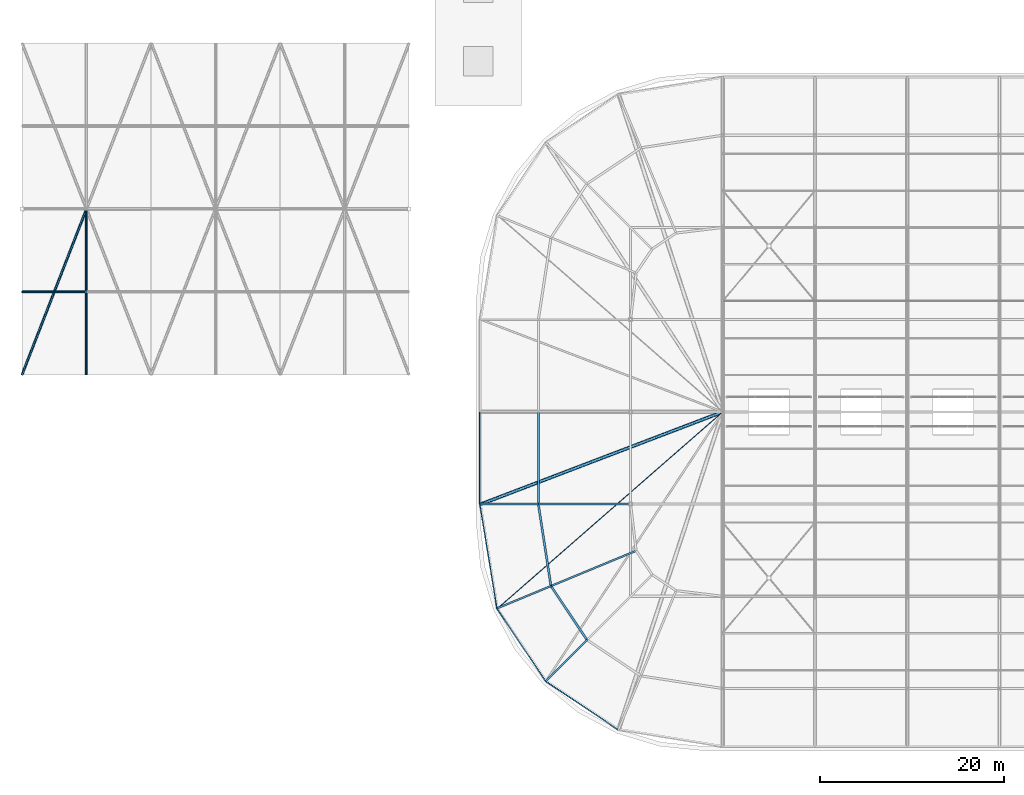
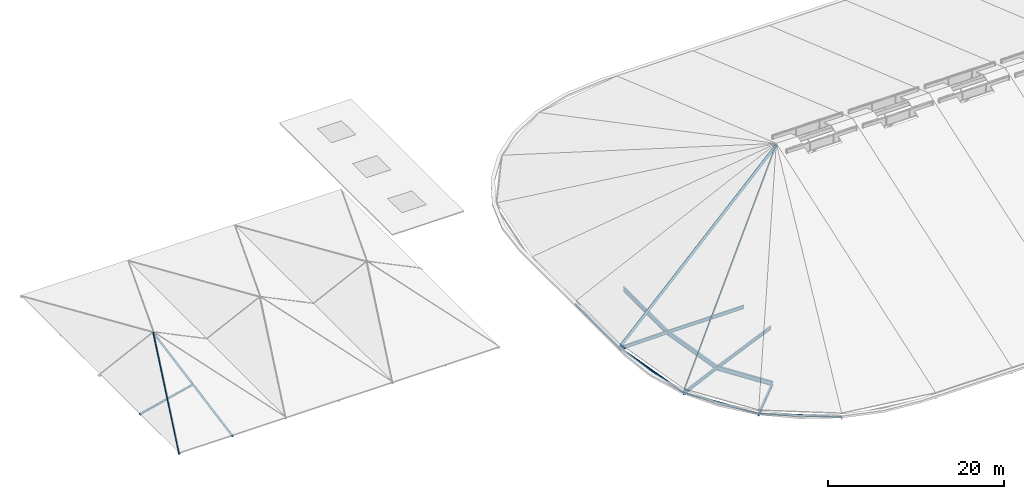
# One storey, part 1 of 93: 12 beams, 5 members.
"""IFC4 building model written with IfcOpenShell, lengths in metres."""

from ifc_helpers import new_model, si_unit, derived_unit, direction, frame, origin, origin_2d_with_axis, place, context, subcontext, project, spatial, hollow_rectangle, hollow_circle, i_section, extrude, material, material_profile, profile_set, type_object, element, save


model = new_model("IFC4")

# Units and contexts
model_context = context("Model", 3, precision=1e-05, world=origin(), true_north=direction((0.0, 1.0)))
body_context = subcontext(model_context, "Body", "Model", "MODEL_VIEW")
ifc_project = project(units=[si_unit("LENGTHUNIT", "METRE"), si_unit("AREAUNIT", "SQUARE_METRE"), si_unit("VOLUMEUNIT", "CUBIC_METRE"), si_unit("PLANEANGLEUNIT", "RADIAN"), si_unit("MASSUNIT", "GRAM", prefix="KILO"), derived_unit("THERMALTRANSMITTANCEUNIT", [(si_unit("POWERUNIT", "WATT"), 1), (si_unit("LENGTHUNIT", "METRE"), -2), (si_unit("THERMODYNAMICTEMPERATUREUNIT", "KELVIN"), -1)])], contexts=[model_context])

# Site, building, storey
site_placement = place(None, origin())
site = spatial("IfcSite", under=ifc_project, at=site_placement, CompositionType="ELEMENT")
building_placement = place(site_placement, origin())
building = spatial("IfcBuilding", under=site, at=building_placement, Name="Cinnabar Yard Market Hall", CompositionType="ELEMENT")
storey_placement = place(building_placement, frame((0.0, 0.0, 23.800048828125)))
storey = spatial("IfcBuildingStorey", under=building, at=storey_placement, Name="ROOF", CompositionType="ELEMENT", Elevation=23.800048828125)

# Beams
ifc_material_1 = material(Name="Steel Grade 350 (350 MPa)", Category="steel")
ifc_material_profile_1 = material_profile(ifc_material_1, i_section(OverallWidth=0.22900390625, OverallDepth=0.611572265625, WebThickness=0.011962890625, FlangeThickness=0.01953125, FilletRadius=0.013916015625, at=origin_2d_with_axis()), Name="610UB125")
ifc_profile_set_1 = profile_set([ifc_material_profile_1], Name="Steel Grade 350 (350 MPa)")
beam_type_1 = type_object("IfcBeamType", Name="BM-B01E", PredefinedType="BEAM", material=ifc_profile_set_1)
beam_1_placement = place(storey_placement, frame((66.0, 34.0, -9.705810546875), z_axis=(0.0, 1.0, 0.0), x_axis=(-1.0, 0.0, 0.0)))
element("IfcBeam", 1, at=beam_1_placement, inside=storey, type_object=beam_type_1, Name="West Springer Girder 00368", PredefinedType="BEAM", context=body_context, shape_type="SweptSolid", body=[
    extrude(i_section(OverallWidth=0.22900390625, OverallDepth=0.611572265625, WebThickness=0.011962890625, FlangeThickness=0.01953125, FilletRadius=0.013916015625, at=origin_2d_with_axis()), origin(), (0.0, 0.0, 1.0), 10.0),
])
beam_2_placement = place(storey_placement, frame((66.0, 34.0, -9.705810546875), z_axis=(0.152350933845, -0.988326460719, 0.0), x_axis=(0.988326460719, 0.152350933845, 0.0)))
element("IfcBeam", 2, at=beam_2_placement, inside=storey, type_object=beam_type_1, Name="Outer Corner Ring SW 00449", PredefinedType="BEAM", context=body_context, shape_type="SweptSolid", body=[
    extrude(i_section(OverallWidth=0.22900390625, OverallDepth=0.611572265625, WebThickness=0.011962890625, FlangeThickness=0.01953125, FilletRadius=0.013916015625, at=origin_2d_with_axis()), origin(), (0.0, 0.0, 1.0), 8.9931640625),
])
beam_3_placement = place(storey_placement, frame((67.3701171875, 25.11181640625, -9.705810546875), z_axis=(0.555590303377, -0.831456201368, 0.0), x_axis=(0.831456201368, 0.555590303377, 0.0)))
element("IfcBeam", 3, at=beam_3_placement, inside=storey, type_object=beam_type_1, Name="Outer Corner Ring SW 00452", PredefinedType="BEAM", context=body_context, shape_type="SweptSolid", body=[
    extrude(i_section(OverallWidth=0.22900390625, OverallDepth=0.611572265625, WebThickness=0.011962890625, FlangeThickness=0.01953125, FilletRadius=0.013916015625, at=origin_2d_with_axis()), origin(), (0.0, 0.0, 1.0), 7.0234375),
])
ifc_material_2 = material(Name="Steel Grade 300 (300 MPa)", Category="steel")
ifc_material_profile_2 = material_profile(ifc_material_2, i_section(OverallWidth=0.19091796875, OverallDepth=0.46044921875, WebThickness=0.010009765625, FlangeThickness=0.01611328125, FilletRadius=0.011474609375, at=origin_2d_with_axis()), Name="460UB82.1")
ifc_profile_set_2 = profile_set([ifc_material_profile_2], Name="Steel Grade 300 (300 MPa)")
beam_type_2 = type_object("IfcBeamType", Name="BM-B04", PredefinedType="BEAM", material=ifc_profile_set_2)
for number, where, z_axis, x_axis, name in (
    (4, (76.60888671875, 28.9384765625, -9.630126953125), (-0.923885312463, -0.382669478028, 0.0), (0.382669478028, -0.923885312463, 0.0), "Corner Backspan Girder SW-2 00460"),
    (5, (76.0, 34.0, -9.630126953125), (-1.0, 0.0, 0.0), (0.0, -1.0, 0.0), "West Chhajja Backspan Girder 00560"),
):
    element("IfcBeam", number, at=place(storey_placement, frame(where, z_axis=z_axis, x_axis=x_axis)), inside=storey, type_object=beam_type_2, Name=name, PredefinedType="BEAM", context=body_context, shape_type="SweptSolid", body=[
        extrude(i_section(OverallWidth=0.19091796875, OverallDepth=0.46044921875, WebThickness=0.010009765625, FlangeThickness=0.01611328125, FilletRadius=0.011474609375, at=origin_2d_with_axis()), origin(), (0.0, 0.0, 1.0), 10.0),
    ])
ifc_material_profile_3 = material_profile(ifc_material_2, i_section(OverallWidth=0.19091796875, OverallDepth=0.46044921875, WebThickness=0.010009765625, FlangeThickness=0.01611328125, FilletRadius=0.011474609375, at=origin_2d_with_axis()), Name="460UB82.1")
ifc_profile_set_3 = profile_set([ifc_material_profile_3], Name="Steel Grade 300 (300 MPa)")
beam_type_3 = type_object("IfcBeamType", Name="BM-RF02E", PredefinedType="BEAM", material=ifc_profile_set_3)
for number, where, z_axis, x_axis, name in (
    (6, (67.3701171875, 25.11181640625, -9.630126953125), (-0.923803285729, -0.382659096931, -0.012629521412), (0.382689618566, -0.923876970079, 0.0), "Corner Chhajja Cantilever SW-2 00461"),
    (7, (71.272216796875, 19.272216796875, -9.630126953125), (-0.707050387112, -0.707050387112, -0.012629337634), (0.707106781187, -0.707106781187, 0.0), "Corner Chhajja Cantilever SW-4 00463"),
    (8, (66.0, 34.0, -9.630126953125), (-0.999920245484, 0.0, -0.012629436656), (0.0, -1.0, 0.0), "West Chhajja Cantilever Rafter 00561"),
):
    element("IfcBeam", number, at=place(storey_placement, frame(where, z_axis=z_axis, x_axis=x_axis)), inside=storey, type_object=beam_type_3, Name=name, PredefinedType="BEAM", context=body_context, shape_type="SweptSolid", body=[
        extrude(i_section(OverallWidth=0.19091796875, OverallDepth=0.46044921875, WebThickness=0.010009765625, FlangeThickness=0.01611328125, FilletRadius=0.011474609375, at=origin_2d_with_axis()), origin(), (0.0, 0.0, 1.0), 6.340576171875),
    ])
ifc_material_3 = material(Name="Cold-formed steel C350L0", Category="steel")
ifc_material_profile_4 = material_profile(ifc_material_3, hollow_rectangle(XDim=0.14990234375, YDim=0.25, WallThickness=0.009033203125, InnerFilletRadius=0.009033203125, OuterFilletRadius=0.01806640625, at=origin_2d_with_axis()), Name="250x150x9.0RHS")
ifc_profile_set_4 = profile_set([ifc_material_profile_4], Name="Cold-formed steel C350L0")
beam_type_4 = type_object("IfcBeamType", Name="BM-SP01E", PredefinedType="SPANDREL", material=ifc_profile_set_4)
beam_4_placement = place(storey_placement, frame((59.659912109375, 34.0, -9.60498046875), z_axis=(0.161601310879, -0.986856127469, 0.0), x_axis=(0.986856127469, 0.161601310879, 0.0)))
element("IfcBeam", 9, at=beam_4_placement, inside=storey, type_object=beam_type_4, Name="Eave Fascia Ring SW 00450", PredefinedType="SPANDREL", context=body_context, shape_type="SweptSolid", body=[
    extrude(hollow_rectangle(XDim=0.14990234375, YDim=0.25, WallThickness=0.009033203125, InnerFilletRadius=0.009033203125, OuterFilletRadius=0.01806640625, at=origin_2d_with_axis()), origin(), (0.0, 0.0, 1.0), 11.465087890625),
])
for number, where, z_axis, x_axis, name in (
    (10, (61.5126953125, 22.685546875, -9.60498046875), (0.555577877471, -0.831464504392, 0.0), (0.831464504392, 0.555577877471, 0.0), "Eave Fascia Ring SW 00453"),
    (11, (66.7890625, 14.7890625, -9.60498046875), (0.831464504392, -0.555577877471, 0.0), (0.555577877471, 0.831464504392, 0.0), "Eave Fascia Ring SW 00456"),
):
    element("IfcBeam", number, at=place(storey_placement, frame(where, z_axis=z_axis, x_axis=x_axis)), inside=storey, type_object=beam_type_4, Name=name, PredefinedType="SPANDREL", context=body_context, shape_type="SweptSolid", body=[
        extrude(hollow_rectangle(XDim=0.14990234375, YDim=0.25, WallThickness=0.009033203125, InnerFilletRadius=0.009033203125, OuterFilletRadius=0.01806640625, at=origin_2d_with_axis()), origin(), (0.0, 0.0, 1.0), 9.4970703125),
    ])
beam_5_placement = place(storey_placement, frame((59.659912109375, 34.0, -9.60498046875), z_axis=(0.0, 1.0, 0.0), x_axis=(-1.0, 0.0, 0.0)))
element("IfcBeam", 12, at=beam_5_placement, inside=storey, type_object=beam_type_4, Name="West Eave Fascia 00572", PredefinedType="SPANDREL", context=body_context, shape_type="SweptSolid", body=[
    extrude(hollow_rectangle(XDim=0.14990234375, YDim=0.25, WallThickness=0.009033203125, InnerFilletRadius=0.009033203125, OuterFilletRadius=0.01806640625, at=origin_2d_with_axis()), origin(), (0.0, 0.0, 1.0), 10.0),
])

# Members
ifc_material_profile_5 = material_profile(ifc_material_3, hollow_rectangle(XDim=0.089111328125, YDim=0.089111328125, WallThickness=0.0048828125, InnerFilletRadius=0.0048828125, OuterFilletRadius=0.010009765625, at=origin_2d_with_axis()), Name="89x89x5.0SHS")
ifc_profile_set_5 = profile_set([ifc_material_profile_5], Name="Cold-formed steel C350L0")
member_type_1 = type_object("IfcMemberType", Name="MB-BR06", PredefinedType="BRACE", material=ifc_profile_set_5)
member_1_placement = place(storey_placement, frame((86.0, 44.0, 3.199951171875), z_axis=(-0.701954212015, -0.612706049447, -0.363113730401), x_axis=(0.657589967821, -0.753376024453, 0.0)))
element("IfcMember", 13, at=member_1_placement, inside=storey, type_object=member_type_1, Name="West Apsidal Hip Rafter 03", PredefinedType="BRACE", context=body_context, shape_type="SweptSolid", body=[
    extrude(hollow_rectangle(XDim=0.089111328125, YDim=0.089111328125, WallThickness=0.0048828125, InnerFilletRadius=0.0048828125, OuterFilletRadius=0.010009765625, at=origin_2d_with_axis()), origin(), (0.0, 0.0, 1.0), 34.7001953125),
])
ifc_material_profile_6 = material_profile(ifc_material_3, hollow_circle(Radius=0.177734375, WallThickness=0.0126953125, at=origin_2d_with_axis()), Name="355.6x12.7CHS")
ifc_profile_set_6 = profile_set([ifc_material_profile_6], Name="Cold-formed steel C350L0")
member_type_2 = type_object("IfcMemberType", Name="MB-TC01", PredefinedType="CHORD", material=ifc_profile_set_6)
member_2_placement = place(storey_placement, frame((86.0, 44.0, 3.199951171875), z_axis=(-0.852194344827, -0.325265623297, -0.409837861776), x_axis=(0.356588973072, -0.934261368292, 0.0)))
element("IfcMember", 14, at=member_2_placement, inside=storey, type_object=member_type_2, Name="West Apsidal Hip Rafter 04", PredefinedType="CHORD", context=body_context, shape_type="SweptSolid", body=[
    extrude(hollow_circle(Radius=0.177734375, WallThickness=0.0126953125, at=origin_2d_with_axis()), origin(), (0.0, 0.0, 1.0), 30.744140625),
])
ifc_material_profile_7 = material_profile(ifc_material_3, hollow_circle(Radius=0.136474609375, WallThickness=0.00927734375, at=origin_2d_with_axis()), Name="273.1x9.3CHS")
ifc_profile_set_7 = profile_set([ifc_material_profile_7], Name="Cold-formed steel C350L0")
member_type_3 = type_object("IfcMemberType", Name="MB-TC02", PredefinedType="CHORD", material=ifc_profile_set_7)
member_3_placement = place(storey_placement, frame((10.0, 48.0, -15.400146484375), z_axis=(0.356956605479, 0.917888414088, 0.173386392456), x_axis=(-0.932004671541, 0.362446261155, 0.0)))
element("IfcMember", 15, at=member_3_placement, inside=storey, type_object=member_type_3, Name="Chhatri Hip Rafter CH1-1", PredefinedType="CHORD", context=body_context, shape_type="SweptSolid", body=[
    extrude(hollow_circle(Radius=0.136474609375, WallThickness=0.00927734375, at=origin_2d_with_axis()), origin(), (0.0, 0.0, 1.0), 19.610107421875),
])
member_4_placement = place(storey_placement, frame((17.0, 48.0, -15.400146484375), z_axis=(0.0, 0.982622643196, 0.185614495874), x_axis=(-1.0, 0.0, 0.0)))
element("IfcMember", 16, at=member_4_placement, inside=storey, type_object=member_type_3, Name="Chhatri Hip Rafter CH1-5", PredefinedType="CHORD", context=body_context, shape_type="SweptSolid", body=[
    extrude(hollow_circle(Radius=0.136474609375, WallThickness=0.00927734375, at=origin_2d_with_axis()), origin(), (0.0, 0.0, 1.0), 18.318359375),
])
member_5_placement = place(storey_placement, frame((10.0, 57.0, -15.400146484375), z_axis=(0.971747485636, 0.0, 0.23602293143), x_axis=(0.0, 1.0, 0.0)))
element("IfcMember", 17, at=member_5_placement, inside=storey, type_object=member_type_3, Name="Chhatri Rafter CH1-57A", PredefinedType="CHORD", context=body_context, shape_type="SweptSolid", body=[
    extrude(hollow_circle(Radius=0.136474609375, WallThickness=0.00927734375, at=origin_2d_with_axis()), origin(), (0.0, 0.0, 1.0), 7.20361328125),
])

save(model, "model.ifc")
